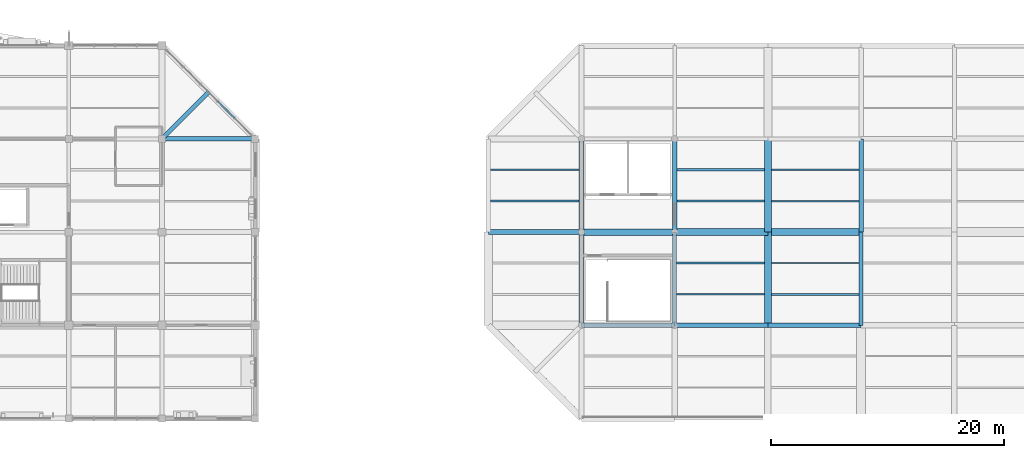
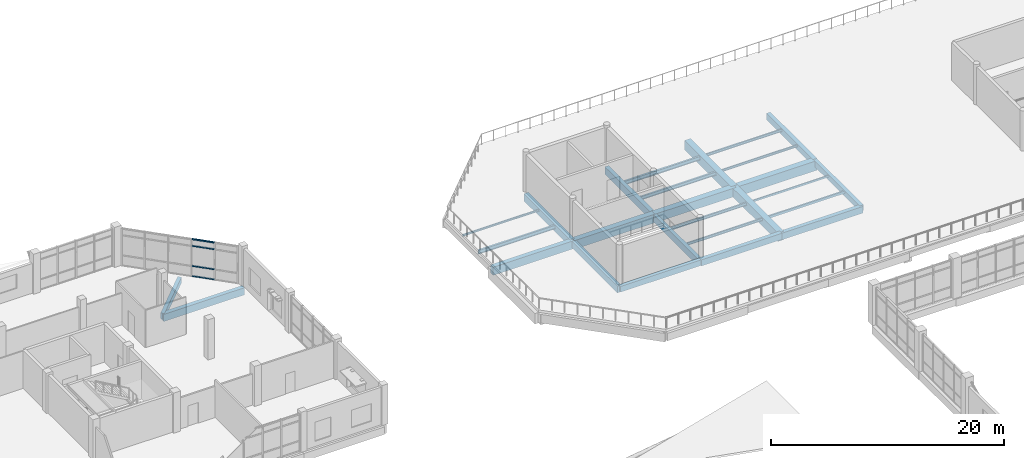
# One storey, part 37 of 84: 27 beams, 4 members, 1 element without a shape of its own.
"""IFC4 building model written with IfcOpenShell, lengths in metres."""

from ifc_helpers import new_model, si_unit, direction, frame, origin, origin_2d, place, context, subcontext, project, spatial, rectangle, hollow_rectangle, i_section, extrude, material, material_profile, profile_set, type_object, element, aggregate, save


model = new_model("IFC4")

# Units and contexts
model_context = context("Model", 3, precision=1e-05, world=origin(), true_north=direction((0.0, 1.0)))
body_context = subcontext(model_context, "Body", "Model", "MODEL_VIEW")
ifc_project = project(units=[si_unit("LENGTHUNIT", "METRE"), si_unit("AREAUNIT", "SQUARE_METRE"), si_unit("VOLUMEUNIT", "CUBIC_METRE"), si_unit("PLANEANGLEUNIT", "RADIAN"), si_unit("MASSUNIT", "GRAM", prefix="KILO")], contexts=[model_context])

# Site, building, storey
site_placement = place(None, origin())
site = spatial("IfcSite", under=ifc_project, at=site_placement, CompositionType="ELEMENT")
building_placement = place(site_placement, origin())
building = spatial("IfcBuilding", under=site, at=building_placement, Name="Tenunan Teduh Sports Hall", CompositionType="ELEMENT")
storey_placement = place(building_placement, frame((0.0, 0.0, 10.800048828125)))
storey = spatial("IfcBuildingStorey", under=building, at=storey_placement, Name="L02", CompositionType="ELEMENT", Elevation=10.800048828125)

# Beams
ifc_material_1 = material(Name="Concrete C40/50", Category="concrete")
ifc_material_profile_1 = material_profile(ifc_material_1, rectangle(XDim=0.35009765625, YDim=0.60009765625, at=origin_2d()), Name="RCB 350x600")
ifc_profile_set_1 = profile_set([ifc_material_profile_1], Name="Concrete C40/50")
beam_type_1 = type_object("IfcBeamType", Name="BM-RC-350x600", PredefinedType="BEAM", material=ifc_profile_set_1)
for number, where, z_axis, x_axis, name in (
    (1, (106.0, 94.0, -0.56005859375), (1.0, 0.0, 0.0), (0.0, 1.0, 0.0), "BM-B-04-L02-1517"),
    (2, (130.0, 94.0, -0.56005859375), (0.0, 1.0, 0.0), (-1.0, 0.0, 0.0), "BM-B-04-L02-1646"),
):
    element("IfcBeam", number, at=place(storey_placement, frame(where, z_axis=z_axis, x_axis=x_axis)), inside=storey, type_object=beam_type_1, Name=name, PredefinedType="BEAM", context=body_context, shape_type="SweptSolid", body=[
        extrude(rectangle(XDim=0.35009765625, YDim=0.60009765625, at=origin_2d()), origin(), (0.0, 0.0, 1.0), 8.0),
    ])
beam_1_placement = place(storey_placement, frame((70.0, 110.0, -0.56005859375), z_axis=(0.707106781187, 0.707106781187, 0.0), x_axis=(-0.707106781187, 0.707106781187, 0.0)))
element("IfcBeam", 3, at=beam_1_placement, inside=storey, type_object=beam_type_1, Name="BM-B-04-L02-2230", PredefinedType="BEAM", context=body_context, shape_type="SweptSolid", body=[
    extrude(rectangle(XDim=0.35009765625, YDim=0.60009765625, at=origin_2d()), origin(), (0.0, 0.0, 1.0), 5.65673828125),
])
ifc_material_2 = material(Name="Concrete C40/50", Category="concrete")
ifc_material_profile_2 = material_profile(ifc_material_2, rectangle(XDim=0.39990234375, YDim=0.64990234375, at=origin_2d()), Name="RCB 400x650")
ifc_profile_set_2 = profile_set([ifc_material_profile_2], Name="Concrete C40/50")
beam_type_2 = type_object("IfcBeamType", Name="BM-RC-400x650", PredefinedType="BEAM", material=ifc_profile_set_2)
for number, where, z_axis, x_axis, name in (
    (4, (114.0, 94.0, -0.5849609375), (1.0, 0.0, 0.0), (0.0, 1.0, 0.0), "BM-B-07-L02-1518"),
    (5, (130.0, 102.0, -0.5849609375), (0.0, 1.0, 0.0), (-1.0, 0.0, 0.0), "BM-B-07-L02-1647"),
):
    element("IfcBeam", number, at=place(storey_placement, frame(where, z_axis=z_axis, x_axis=x_axis)), inside=storey, type_object=beam_type_2, Name=name, PredefinedType="BEAM", context=body_context, shape_type="SweptSolid", body=[
        extrude(rectangle(XDim=0.39990234375, YDim=0.64990234375, at=origin_2d()), origin(), (0.0, 0.0, 1.0), 8.0),
    ])
ifc_material_3 = material(Name="Concrete C40/50", Category="concrete")
ifc_material_profile_3 = material_profile(ifc_material_3, rectangle(XDim=0.39990234375, YDim=0.699951171875, at=origin_2d()), Name="RCB 400x700")
ifc_profile_set_3 = profile_set([ifc_material_profile_3], Name="Concrete C40/50")
beam_type_3 = type_object("IfcBeamType", Name="BM-RC-400x700", PredefinedType="BEAM", material=ifc_profile_set_3)
for number, where, z_axis, x_axis, name in (
    (6, (122.0, 94.0, -0.610107421875), (1.0, 0.0, 0.0), (0.0, 1.0, 0.0), "BM-B-08-L02-1519"),
    (7, (106.0, 94.0, -0.610107421875), (0.0, 1.0, 0.0), (-1.0, 0.0, 0.0), "BM-B-08-L02-1626"),
):
    element("IfcBeam", number, at=place(storey_placement, frame(where, z_axis=z_axis, x_axis=x_axis)), inside=storey, type_object=beam_type_3, Name=name, PredefinedType="BEAM", context=body_context, shape_type="SweptSolid", body=[
        extrude(rectangle(XDim=0.39990234375, YDim=0.699951171875, at=origin_2d()), origin(), (0.0, 0.0, 1.0), 8.0),
    ])
ifc_material_4 = material(Name="Concrete C40/50", Category="concrete")
ifc_material_profile_4 = material_profile(ifc_material_4, rectangle(XDim=0.39990234375, YDim=0.75, at=origin_2d()), Name="RCB 400x750")
ifc_profile_set_4 = profile_set([ifc_material_profile_4], Name="Concrete C40/50")
beam_type_4 = type_object("IfcBeamType", Name="BM-RC-400x750", PredefinedType="BEAM", material=ifc_profile_set_4)
beam_2_placement = place(storey_placement, frame((70.0, 110.0, -0.635009765625), z_axis=(1.0, 0.0, 0.0), x_axis=(0.0, 1.0, 0.0)))
element("IfcBeam", 8, at=beam_2_placement, inside=storey, type_object=beam_type_4, Name="BM-B-09-L02-1549", PredefinedType="BEAM", context=body_context, shape_type="SweptSolid", body=[
    extrude(rectangle(XDim=0.39990234375, YDim=0.75, at=origin_2d()), origin(), (0.0, 0.0, 1.0), 8.0),
])
ifc_material_5 = material(Name="Concrete C40/50", Category="concrete")
ifc_material_profile_5 = material_profile(ifc_material_5, rectangle(XDim=0.449951171875, YDim=0.75, at=origin_2d()), Name="RCB 450x750")
ifc_profile_set_5 = profile_set([ifc_material_profile_5], Name="Concrete C40/50")
beam_type_5 = type_object("IfcBeamType", Name="BM-RC-450x750", PredefinedType="BEAM", material=ifc_profile_set_5)
beam_3_placement = place(storey_placement, frame((106.0, 102.0, -0.635009765625), z_axis=(0.0, 1.0, 0.0), x_axis=(-1.0, 0.0, 0.0)))
element("IfcBeam", 9, at=beam_3_placement, inside=storey, type_object=beam_type_5, Name="BM-B-11-L02-1627", PredefinedType="BEAM", context=body_context, shape_type="SweptSolid", body=[
    extrude(rectangle(XDim=0.449951171875, YDim=0.75, at=origin_2d()), origin(), (0.0, 0.0, 1.0), 8.0),
])
ifc_material_6 = material(Name="Concrete C40/50", Category="concrete")
ifc_material_profile_6 = material_profile(ifc_material_6, rectangle(XDim=0.449951171875, YDim=0.85009765625, at=origin_2d()), Name="RCB 450x850")
ifc_profile_set_6 = profile_set([ifc_material_profile_6], Name="Concrete C40/50")
beam_type_6 = type_object("IfcBeamType", Name="BM-RC-450x850", PredefinedType="BEAM", material=ifc_profile_set_6)
beam_4_placement = place(storey_placement, frame((98.0, 102.0, -0.68505859375), z_axis=(1.0, 0.0, 0.0), x_axis=(0.0, 1.0, 0.0)))
element("IfcBeam", 10, at=beam_4_placement, inside=storey, type_object=beam_type_6, Name="BM-B-13-L02-1533", PredefinedType="BEAM", context=body_context, shape_type="SweptSolid", body=[
    extrude(rectangle(XDim=0.449951171875, YDim=0.85009765625, at=origin_2d()), origin(), (0.0, 0.0, 1.0), 8.0),
])
ifc_material_7 = material(Name="Concrete C40/50", Category="concrete")
ifc_material_profile_7 = material_profile(ifc_material_7, rectangle(XDim=0.550048828125, YDim=0.89990234375, at=origin_2d()), Name="RCB 550x900")
ifc_profile_set_7 = profile_set([ifc_material_profile_7], Name="Concrete C40/50")
beam_type_7 = type_object("IfcBeamType", Name="BM-RC-550x900", PredefinedType="BEAM", material=ifc_profile_set_7)
beam_5_placement = place(storey_placement, frame((106.0, 102.0, -0.7099609375), z_axis=(1.0, 0.0, 0.0), x_axis=(0.0, 1.0, 0.0)))
element("IfcBeam", 11, at=beam_5_placement, inside=storey, type_object=beam_type_7, Name="BM-B-16-L02-1534", PredefinedType="BEAM", context=body_context, shape_type="SweptSolid", body=[
    extrude(rectangle(XDim=0.550048828125, YDim=0.89990234375, at=origin_2d()), origin(), (0.0, 0.0, 1.0), 8.0),
])
ifc_material_8 = material(Name="Concrete C40/50", Category="concrete")
ifc_material_profile_8 = material_profile(ifc_material_8, rectangle(XDim=0.60009765625, YDim=1.0, at=origin_2d()), Name="RCB 600x1000")
ifc_profile_set_8 = profile_set([ifc_material_profile_8], Name="Concrete C40/50")
beam_type_8 = type_object("IfcBeamType", Name="BM-RC-600x1000", PredefinedType="BEAM", material=ifc_profile_set_8)
for number, where, z_axis, x_axis, name in (
    (12, (122.0, 102.0, -0.760009765625), (1.0, 0.0, 0.0), (0.0, 1.0, 0.0), "BM-B-18-L02-1536"),
    (13, (122.0, 102.0, -0.760009765625), (0.0, 1.0, 0.0), (-1.0, 0.0, 0.0), "BM-B-18-L02-1643"),
):
    element("IfcBeam", number, at=place(storey_placement, frame(where, z_axis=z_axis, x_axis=x_axis)), inside=storey, type_object=beam_type_8, Name=name, PredefinedType="BEAM", context=body_context, shape_type="SweptSolid", body=[
        extrude(rectangle(XDim=0.60009765625, YDim=1.0, at=origin_2d()), origin(), (0.0, 0.0, 1.0), 8.0),
    ])
ifc_material_9 = material(Name="Concrete C40/50", Category="concrete")
ifc_material_profile_9 = material_profile(ifc_material_9, rectangle(XDim=0.60009765625, YDim=0.89990234375, at=origin_2d()), Name="RCB 600x900")
ifc_profile_set_9 = profile_set([ifc_material_profile_9], Name="Concrete C40/50")
beam_type_9 = type_object("IfcBeamType", Name="BM-RC-600x900", PredefinedType="BEAM", material=ifc_profile_set_9)
for number, where, z_axis, x_axis, name in (
    (14, (114.0, 102.0, -0.7099609375), (1.0, 0.0, 0.0), (0.0, 1.0, 0.0), "BM-B-17-L02-1535"),
    (15, (122.0, 94.0, -0.7099609375), (0.0, 1.0, 0.0), (-1.0, 0.0, 0.0), "BM-B-17-L02-1642"),
):
    element("IfcBeam", number, at=place(storey_placement, frame(where, z_axis=z_axis, x_axis=x_axis)), inside=storey, type_object=beam_type_9, Name=name, PredefinedType="BEAM", context=body_context, shape_type="SweptSolid", body=[
        extrude(rectangle(XDim=0.60009765625, YDim=0.89990234375, at=origin_2d()), origin(), (0.0, 0.0, 1.0), 8.0),
    ])
ifc_material_10 = material(Name="Concrete C40/50", Category="concrete")
ifc_material_profile_10 = material_profile(ifc_material_10, rectangle(XDim=0.35009765625, YDim=0.719970703125, at=origin_2d()), Name="TB 350x720")
ifc_profile_set_10 = profile_set([ifc_material_profile_10], Name="Concrete C40/50")
beam_type_10 = type_object("IfcBeamType", Name="BM-TB-350x720", PredefinedType="T_BEAM", material=ifc_profile_set_10)
beam_6_placement = place(storey_placement, frame((114.0, 94.0, -0.6201171875), z_axis=(0.0, 1.0, 0.0), x_axis=(-1.0, 0.0, 0.0)))
element("IfcBeam", 16, at=beam_6_placement, inside=storey, type_object=beam_type_10, Name="BM-TB-01-L02-1630", PredefinedType="T_BEAM", context=body_context, shape_type="SweptSolid", body=[
    extrude(rectangle(XDim=0.35009765625, YDim=0.719970703125, at=origin_2d()), origin(), (0.0, 0.0, 1.0), 8.0),
])
ifc_material_11 = material(Name="Concrete C40/50", Category="concrete")
ifc_material_profile_11 = material_profile(ifc_material_11, rectangle(XDim=0.39990234375, YDim=0.780029296875, at=origin_2d()), Name="TB 400x780")
ifc_profile_set_11 = profile_set([ifc_material_profile_11], Name="Concrete C40/50")
beam_type_11 = type_object("IfcBeamType", Name="BM-TB-400x780", PredefinedType="T_BEAM", material=ifc_profile_set_11)
beam_7_placement = place(storey_placement, frame((114.0, 102.0, -0.650146484375), z_axis=(0.0, 1.0, 0.0), x_axis=(-1.0, 0.0, 0.0)))
element("IfcBeam", 17, at=beam_7_placement, inside=storey, type_object=beam_type_11, Name="BM-TB-02-L02-1631", PredefinedType="T_BEAM", context=body_context, shape_type="SweptSolid", body=[
    extrude(rectangle(XDim=0.39990234375, YDim=0.780029296875, at=origin_2d()), origin(), (0.0, 0.0, 1.0), 8.0),
])

# Curtain wall, members
ifc_material_12 = material(Name="Anodised aluminium", Category="aluminium")
curtain_wall_type = type_object("IfcCurtainWallType", Name="CW-UNIT-2", PredefinedType="NOTDEFINED", material=ifc_material_12)
curtain_wall_placement = place(storey_placement, origin())
curtain_wall = element("IfcCurtainWall", 18, at=curtain_wall_placement, inside=storey, type_object=curtain_wall_type, Name="CW-CWM-175-L02-214", PredefinedType="NOTDEFINED")
ifc_material_13 = material(Name="Anodised aluminium", Category="aluminium")
ifc_material_profile_12 = material_profile(ifc_material_13, rectangle(XDim=0.06494140625, YDim=0.139892578125, at=origin_2d()), Name="CWT 65x140")
ifc_profile_set_12 = profile_set([ifc_material_profile_12], Name="Anodised aluminium")
member_type = type_object("IfcMemberType", Name="CWT-150", PredefinedType="USERDEFINED", material=ifc_profile_set_12)
member_1_placement = place(storey_placement, frame((76.198486328125, 111.801513671875, 0.032470703125), z_axis=(-0.707106781187, 0.707106781187, 0.0), x_axis=(0.0, 0.0, 1.0)))
member_1 = element("IfcMember", 19, at=member_1_placement, type_object=member_type, Name="CW-02 transom 2.1", ObjectType="TRANSOM", PredefinedType="USERDEFINED", context=body_context, shape_type="SweptSolid", body=[
    extrude(rectangle(XDim=0.06494140625, YDim=0.139892578125, at=origin_2d()), origin(), (0.0, 0.0, 1.0), 2.004638671875),
])
member_2_placement = place(storey_placement, frame((76.198486328125, 111.801513671875, 1.099853515625), z_axis=(-0.707106781187, 0.707106781187, 0.0), x_axis=(0.0, 0.0, 1.0)))
member_2 = element("IfcMember", 20, at=member_2_placement, type_object=member_type, Name="CW-02 transom 2.2", ObjectType="TRANSOM", PredefinedType="USERDEFINED", context=body_context, shape_type="SweptSolid", body=[
    extrude(rectangle(XDim=0.06494140625, YDim=0.139892578125, at=origin_2d()), origin(), (0.0, 0.0, 1.0), 2.004638671875),
])
member_3_placement = place(storey_placement, frame((76.198486328125, 111.801513671875, 3.199951171875), z_axis=(-0.707106781187, 0.707106781187, 0.0), x_axis=(0.0, 0.0, 1.0)))
member_3 = element("IfcMember", 21, at=member_3_placement, type_object=member_type, Name="CW-02 transom 2.3", ObjectType="TRANSOM", PredefinedType="USERDEFINED", context=body_context, shape_type="SweptSolid", body=[
    extrude(rectangle(XDim=0.06494140625, YDim=0.139892578125, at=origin_2d()), origin(), (0.0, 0.0, 1.0), 2.004638671875),
])
member_4_placement = place(storey_placement, frame((76.198486328125, 111.801513671875, 3.887451171875), z_axis=(-0.707106781187, 0.707106781187, 0.0), x_axis=(0.0, 0.0, 1.0)))
member_4 = element("IfcMember", 22, at=member_4_placement, type_object=member_type, Name="CW-02 transom 2.4", ObjectType="TRANSOM", PredefinedType="USERDEFINED", context=body_context, shape_type="SweptSolid", body=[
    extrude(rectangle(XDim=0.06494140625, YDim=0.139892578125, at=origin_2d()), origin(), (0.0, 0.0, 1.0), 2.004638671875),
])
aggregate(curtain_wall, [member_1, member_2, member_3, member_4])

# Beams
ifc_material_14 = material(Name="Steel S355", Category="steel")
ifc_material_profile_13 = material_profile(ifc_material_14, i_section(OverallWidth=0.10009765625, OverallDepth=0.199951171875, WebThickness=0.005615234375, FlangeThickness=0.008544921875, FilletRadius=0.011962890625, at=origin_2d()), Name="IPE 200")
ifc_profile_set_13 = profile_set([ifc_material_profile_13], Name="Steel S355")
beam_type_12 = type_object("IfcBeamType", Name="JST-IPE200", PredefinedType="JOIST", material=ifc_profile_set_13)
beam_8_placement = place(storey_placement, frame((98.175048828125, 107.35009765625, -0.360107421875), z_axis=(1.0, 0.0, 0.0), x_axis=(0.0, 1.0, 0.0)))
element("IfcBeam", 23, at=beam_8_placement, inside=storey, type_object=beam_type_12, Name="BM-J-01-L02-1753", PredefinedType="JOIST", context=body_context, shape_type="SweptSolid", body=[
    extrude(i_section(OverallWidth=0.10009765625, OverallDepth=0.199951171875, WebThickness=0.005615234375, FlangeThickness=0.008544921875, FilletRadius=0.011962890625, at=origin_2d()), origin(), (0.0, 0.0, 1.0), 7.599853515625),
])
ifc_material_15 = material(Name="Steel S355", Category="steel")
ifc_material_profile_14 = material_profile(ifc_material_15, i_section(OverallWidth=0.1201171875, OverallDepth=0.239990234375, WebThickness=0.006103515625, FlangeThickness=0.009765625, FilletRadius=0.014892578125, at=origin_2d()), Name="IPE 240")
ifc_profile_set_14 = profile_set([ifc_material_profile_14], Name="Steel S355")
beam_type_13 = type_object("IfcBeamType", Name="JST-IPE240", PredefinedType="JOIST", material=ifc_profile_set_14)
beam_9_placement = place(storey_placement, frame((122.300048828125, 104.64990234375, -0.380126953125), z_axis=(1.0, 0.0, 0.0), x_axis=(0.0, 1.0, 0.0)))
element("IfcBeam", 24, at=beam_9_placement, inside=storey, type_object=beam_type_13, Name="BM-J-02-L02-1770", PredefinedType="JOIST", context=body_context, shape_type="SweptSolid", body=[
    extrude(i_section(OverallWidth=0.1201171875, OverallDepth=0.239990234375, WebThickness=0.006103515625, FlangeThickness=0.009765625, FilletRadius=0.014892578125, at=origin_2d()), origin(), (0.0, 0.0, 1.0), 7.5),
])
ifc_material_16 = material(Name="Steel S355", Category="steel")
ifc_material_profile_15 = material_profile(ifc_material_16, i_section(OverallWidth=0.135009765625, OverallDepth=0.27001953125, WebThickness=0.006591796875, FlangeThickness=0.01025390625, FilletRadius=0.014892578125, at=origin_2d()), Name="IPE 270")
ifc_profile_set_15 = profile_set([ifc_material_profile_15], Name="Steel S355")
beam_type_14 = type_object("IfcBeamType", Name="JST-IPE270", PredefinedType="JOIST", material=ifc_profile_set_15)
beam_10_placement = place(storey_placement, frame((114.175048828125, 96.64990234375, -0.39501953125), z_axis=(1.0, 0.0, 0.0), x_axis=(0.0, 1.0, 0.0)))
element("IfcBeam", 25, at=beam_10_placement, inside=storey, type_object=beam_type_14, Name="BM-J-03-L02-1760", PredefinedType="JOIST", context=body_context, shape_type="SweptSolid", body=[
    extrude(i_section(OverallWidth=0.135009765625, OverallDepth=0.27001953125, WebThickness=0.006591796875, FlangeThickness=0.01025390625, FilletRadius=0.014892578125, at=origin_2d()), origin(), (0.0, 0.0, 1.0), 7.52490234375),
])
beam_11_placement = place(storey_placement, frame((122.300048828125, 107.35009765625, -0.39501953125), z_axis=(1.0, 0.0, 0.0), x_axis=(0.0, 1.0, 0.0)))
element("IfcBeam", 26, at=beam_11_placement, inside=storey, type_object=beam_type_14, Name="BM-J-03-L02-1771", PredefinedType="JOIST", context=body_context, shape_type="SweptSolid", body=[
    extrude(i_section(OverallWidth=0.135009765625, OverallDepth=0.27001953125, WebThickness=0.006591796875, FlangeThickness=0.01025390625, FilletRadius=0.014892578125, at=origin_2d()), origin(), (0.0, 0.0, 1.0), 7.5),
])
ifc_material_17 = material(Name="Steel S355", Category="steel")
ifc_material_profile_16 = material_profile(ifc_material_17, i_section(OverallWidth=0.14990234375, OverallDepth=0.300048828125, WebThickness=0.007080078125, FlangeThickness=0.0107421875, FilletRadius=0.014892578125, at=origin_2d()), Name="IPE 300")
ifc_profile_set_16 = profile_set([ifc_material_profile_16], Name="Steel S355")
beam_type_15 = type_object("IfcBeamType", Name="JST-IPE300", PredefinedType="JOIST", material=ifc_profile_set_16)
beam_12_placement = place(storey_placement, frame((114.175048828125, 99.35009765625, -0.41015625), z_axis=(1.0, 0.0, 0.0), x_axis=(0.0, 1.0, 0.0)))
element("IfcBeam", 27, at=beam_12_placement, inside=storey, type_object=beam_type_15, Name="BM-J-04-L02-1761", PredefinedType="JOIST", context=body_context, shape_type="SweptSolid", body=[
    extrude(i_section(OverallWidth=0.14990234375, OverallDepth=0.300048828125, WebThickness=0.007080078125, FlangeThickness=0.0107421875, FilletRadius=0.014892578125, at=origin_2d()), origin(), (0.0, 0.0, 1.0), 7.52490234375),
])
ifc_material_18 = material(Name="Steel S355", Category="steel")
ifc_material_profile_17 = material_profile(ifc_material_18, i_section(OverallWidth=0.169921875, OverallDepth=0.360107421875, WebThickness=0.008056640625, FlangeThickness=0.0126953125, FilletRadius=0.01806640625, at=origin_2d()), Name="IPE 360")
ifc_profile_set_17 = profile_set([ifc_material_profile_17], Name="Steel S355")
beam_type_16 = type_object("IfcBeamType", Name="JST-IPE360", PredefinedType="JOIST", material=ifc_profile_set_17)
beam_13_placement = place(storey_placement, frame((114.199951171875, 104.64990234375, -0.43994140625), z_axis=(1.0, 0.0, 0.0), x_axis=(0.0, 1.0, 0.0)))
element("IfcBeam", 28, at=beam_13_placement, inside=storey, type_object=beam_type_16, Name="BM-J-05-L02-1762", PredefinedType="JOIST", context=body_context, shape_type="SweptSolid", body=[
    extrude(i_section(OverallWidth=0.169921875, OverallDepth=0.360107421875, WebThickness=0.008056640625, FlangeThickness=0.0126953125, FilletRadius=0.01806640625, at=origin_2d()), origin(), (0.0, 0.0, 1.0), 7.5),
])
ifc_material_19 = material(Name="Steel S355", Category="steel")
ifc_material_profile_18 = material_profile(ifc_material_19, i_section(OverallWidth=0.179931640625, OverallDepth=0.39990234375, WebThickness=0.008544921875, FlangeThickness=0.013427734375, FilletRadius=0.02099609375, at=origin_2d()), Name="IPE 400")
ifc_profile_set_18 = profile_set([ifc_material_profile_18], Name="Steel S355")
beam_type_17 = type_object("IfcBeamType", Name="JST-IPE400", PredefinedType="JOIST", material=ifc_profile_set_18)
beam_14_placement = place(storey_placement, frame((98.175048828125, 104.64990234375, -0.4599609375), z_axis=(1.0, 0.0, 0.0), x_axis=(0.0, 1.0, 0.0)))
element("IfcBeam", 29, at=beam_14_placement, inside=storey, type_object=beam_type_17, Name="BM-J-06-L02-1752", PredefinedType="JOIST", context=body_context, shape_type="SweptSolid", body=[
    extrude(i_section(OverallWidth=0.179931640625, OverallDepth=0.39990234375, WebThickness=0.008544921875, FlangeThickness=0.013427734375, FilletRadius=0.02099609375, at=origin_2d()), origin(), (0.0, 0.0, 1.0), 7.599853515625),
])
beam_15_placement = place(storey_placement, frame((114.199951171875, 107.35009765625, -0.4599609375), z_axis=(1.0, 0.0, 0.0), x_axis=(0.0, 1.0, 0.0)))
element("IfcBeam", 30, at=beam_15_placement, inside=storey, type_object=beam_type_17, Name="BM-J-06-L02-1763", PredefinedType="JOIST", context=body_context, shape_type="SweptSolid", body=[
    extrude(i_section(OverallWidth=0.179931640625, OverallDepth=0.39990234375, WebThickness=0.008544921875, FlangeThickness=0.013427734375, FilletRadius=0.02099609375, at=origin_2d()), origin(), (0.0, 0.0, 1.0), 7.5),
])
ifc_material_20 = material(Name="Steel S355", Category="steel")
ifc_material_profile_19 = material_profile(ifc_material_20, hollow_rectangle(XDim=0.10009765625, YDim=0.199951171875, WallThickness=0.008056640625, at=origin_2d()), Name="RHS 200x100x8.0")
ifc_profile_set_19 = profile_set([ifc_material_profile_19], Name="Steel S355")
beam_type_18 = type_object("IfcBeamType", Name="RBM-RHS200", PredefinedType="JOIST", material=ifc_profile_set_19)
beam_16_placement = place(storey_placement, frame((122.300048828125, 99.35009765625, -0.360107421875), z_axis=(1.0, 0.0, 0.0), x_axis=(0.0, 1.0, 0.0)))
element("IfcBeam", 31, at=beam_16_placement, inside=storey, type_object=beam_type_18, Name="Perimeter Ring Beam BM-RB-05-L02-1769", PredefinedType="JOIST", context=body_context, shape_type="SweptSolid", body=[
    extrude(hollow_rectangle(XDim=0.10009765625, YDim=0.199951171875, WallThickness=0.008056640625, at=origin_2d()), origin(), (0.0, 0.0, 1.0), 7.52490234375),
])
ifc_material_21 = material(Name="Steel S355", Category="steel")
ifc_material_profile_20 = material_profile(ifc_material_21, hollow_rectangle(XDim=0.14990234375, YDim=0.25, WallThickness=0.010009765625, at=origin_2d()), Name="RHS 250x150x10.0")
ifc_profile_set_20 = profile_set([ifc_material_profile_20], Name="Steel S355")
beam_type_19 = type_object("IfcBeamType", Name="RBM-RHS250", PredefinedType="BEAM", material=ifc_profile_set_20)
beam_17_placement = place(storey_placement, frame((122.300048828125, 96.64990234375, -0.385009765625), z_axis=(1.0, 0.0, 0.0), x_axis=(0.0, 1.0, 0.0)))
element("IfcBeam", 32, at=beam_17_placement, inside=storey, type_object=beam_type_19, Name="Perimeter Ring Beam BM-RB-04-L02-1768", PredefinedType="BEAM", context=body_context, shape_type="SweptSolid", body=[
    extrude(hollow_rectangle(XDim=0.14990234375, YDim=0.25, WallThickness=0.010009765625, at=origin_2d()), origin(), (0.0, 0.0, 1.0), 7.52490234375),
])

save(model, "model.ifc")
